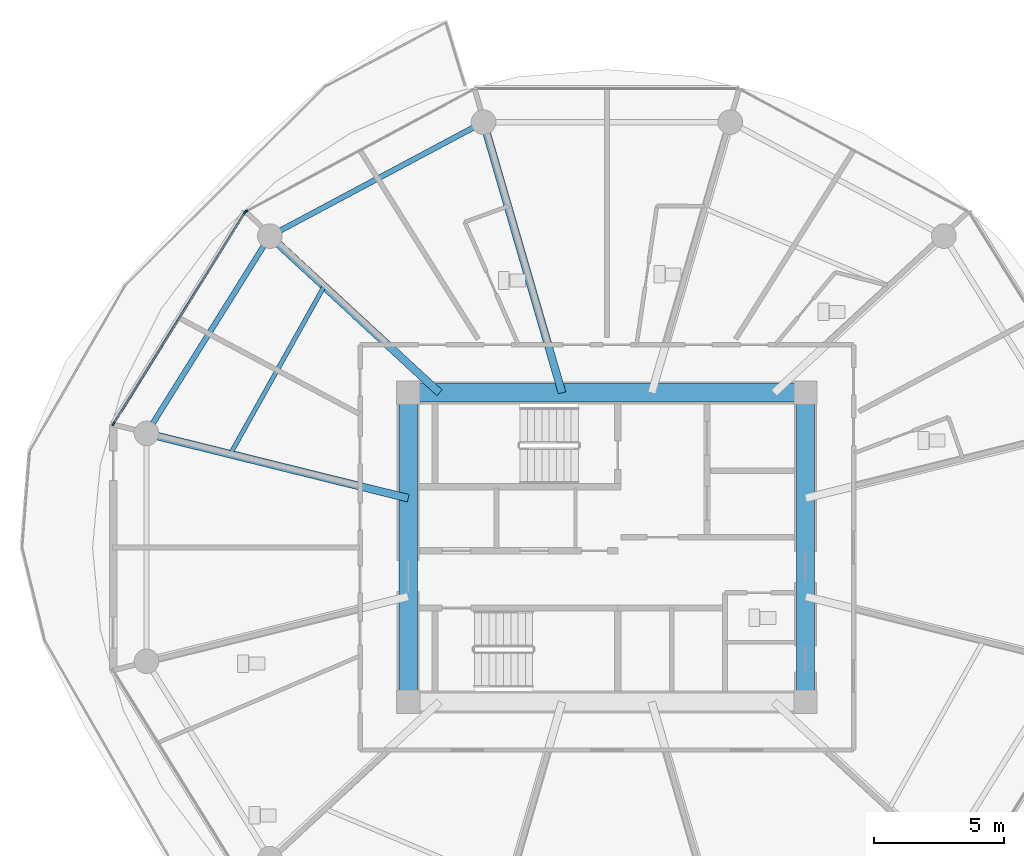
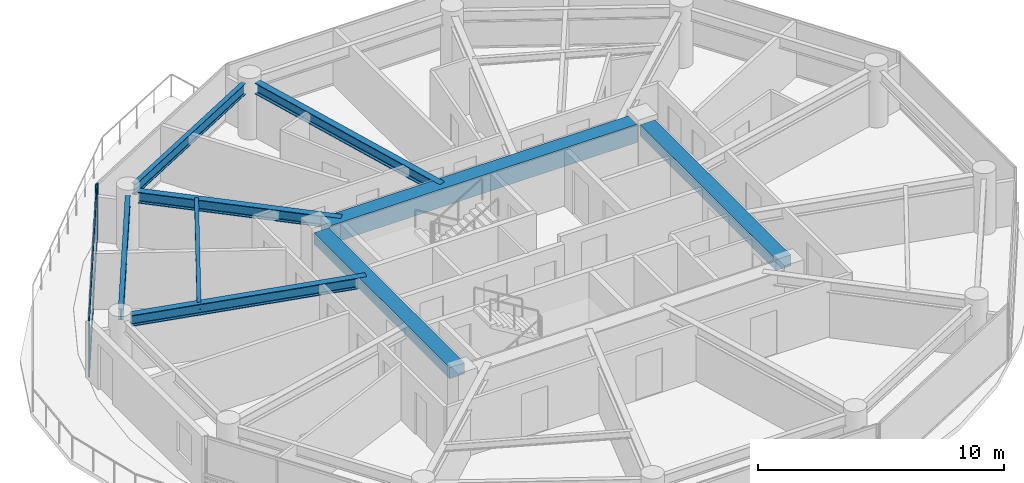
# One storey, part 4 of 27: 9 beams, 5 members, 2 elements without a shape of their own.
"""IFC4 building model written with IfcOpenShell, lengths in metres."""

from ifc_helpers import new_model, si_unit, direction, frame, origin, origin_2d, place, context, subcontext, project, spatial, rectangle, i_section, extrude, source, transform, mapped, material, layer, layer_set, material_profile, profile_set, type_object, type_shapes, element, aggregate, save


model = new_model("IFC4")

# Units and contexts
model_context = context("Model", 3, precision=1e-05, world=origin(), true_north=direction((0.0, 1.0)))
body_context = subcontext(model_context, "Body", "Model", "MODEL_VIEW")
ifc_project = project(units=[si_unit("LENGTHUNIT", "METRE"), si_unit("AREAUNIT", "SQUARE_METRE"), si_unit("VOLUMEUNIT", "CUBIC_METRE"), si_unit("PLANEANGLEUNIT", "RADIAN"), si_unit("MASSUNIT", "GRAM", prefix="KILO")], contexts=[model_context])

# Site, building, storey
site_placement = place(None, origin())
site = spatial("IfcSite", under=ifc_project, at=site_placement, CompositionType="ELEMENT")
building_placement = place(site_placement, origin())
building = spatial("IfcBuilding", under=site, at=building_placement, Name="Norrkilde Senior Care Towers", CompositionType="ELEMENT")
storey_placement = place(building_placement, frame((0.0, 0.0, 36.85009765625)))
storey = spatial("IfcBuildingStorey", under=building, at=storey_placement, Name="L10", CompositionType="ELEMENT", Elevation=36.85009765625)

# Beams
ifc_material_1 = material(Name="Concrete C60/75", Category="concrete")
ifc_material_profile_1 = material_profile(ifc_material_1, rectangle(XDim=0.699951171875, YDim=0.89990234375, at=origin_2d()), Name="RC BM 700x900")
ifc_profile_set_1 = profile_set([ifc_material_profile_1], Name="Concrete C60/75")
beam_type_1 = type_object("IfcBeamType", Name="Core Coupling Girder 700x900", PredefinedType="USERDEFINED", material=ifc_profile_set_1)
shared_shape_1 = source(origin(), body_context, "Body", "SweptSolid", [
    extrude(rectangle(XDim=0.699951171875, YDim=0.89990234375, at=origin_2d()), origin(), (0.0, 0.0, 1.0), 14.43994140625),
])
type_shapes(beam_type_1, [shared_shape_1])
beam_1_placement = place(storey_placement, frame((-35.219970703125, 5.949951171875, 2.33984375), z_axis=(1.0, 0.0, 0.0), x_axis=(0.0, 1.0, 0.0)))
element("IfcBeam", 1, at=beam_1_placement, inside=storey, type_object=beam_type_1, Name="L10 Core W N Coupling Girder", ObjectType="GIRDER", PredefinedType="USERDEFINED", context=body_context, shape_type="MappedRepresentation", body=[
    mapped(shared_shape_1, transform((0.0, 0.0, 0.0), x_axis=(1.0, 0.0, 0.0), y_axis=(0.0, 1.0, 0.0), z_axis=(0.0, 0.0, 1.0), scale=1.0)),
])
ifc_material_profile_2 = material_profile(ifc_material_1, rectangle(XDim=0.699951171875, YDim=0.550048828125, at=origin_2d()), Name="RC BM 700x550")
ifc_profile_set_2 = profile_set([ifc_material_profile_2], Name="Concrete C60/75")
beam_type_2 = type_object("IfcBeamType", Name="Core Portal Coupling Beam 700x550", PredefinedType="USERDEFINED", material=ifc_profile_set_2)
shared_shape_2 = source(origin(), body_context, "Body", "SweptSolid", [
    extrude(rectangle(XDim=0.699951171875, YDim=0.550048828125, at=origin_2d()), origin(), (0.0, 0.0, 1.0), 11.0400390625),
])
type_shapes(beam_type_2, [shared_shape_2])
for number, where, z_axis, x_axis, name in (
    (2, (-35.64990234375, -5.52001953125, 2.514892578125), (0.0, 1.0, 0.0), (-1.0, 0.0, 0.0), "L10 Core W W Coupling Girder"),
    (3, (-20.35009765625, -5.52001953125, 2.514892578125), (0.0, 1.0, 0.0), (-1.0, 0.0, 0.0), "L10 Core W E Coupling Girder"),
):
    element("IfcBeam", number, at=place(storey_placement, frame(where, z_axis=z_axis, x_axis=x_axis)), inside=storey, type_object=beam_type_2, Name=name, ObjectType="GIRDER", PredefinedType="USERDEFINED", context=body_context, shape_type="MappedRepresentation", body=[
        mapped(shared_shape_2, transform((0.0, 0.0, 0.0), x_axis=(1.0, 0.0, 0.0), y_axis=(0.0, 1.0, 0.0), z_axis=(0.0, 0.0, 1.0), scale=1.0)),
    ])
ifc_material_2 = material(Name="Steel S355", Category="steel")
ifc_material_profile_3 = material_profile(ifc_material_2, i_section(OverallWidth=0.2099609375, OverallDepth=0.550048828125, WebThickness=0.010986328125, FlangeThickness=0.01708984375, FilletRadius=0.02392578125, at=origin_2d()), Name="IPE 550")
ifc_profile_set_3 = profile_set([ifc_material_profile_3], Name="Steel S355")
beam_type_3 = type_object("IfcBeamType", Name="Perimeter Ring Spandrel Z1 IPE550", PredefinedType="SPANDREL", material=ifc_profile_set_3)
shared_shape_3 = source(origin(), body_context, "Body", "SweptSolid", [
    extrude(i_section(OverallWidth=0.2099609375, OverallDepth=0.550048828125, WebThickness=0.010986328125, FlangeThickness=0.01708984375, FilletRadius=0.02392578125, at=origin_2d()), origin(), (0.0, 0.0, 1.0), 8.090576171875),
])
beam_2_placement = place(storey_placement, frame((-41.2060546875, 11.61669921875, 2.514892578125), z_axis=(-0.530004364821, -0.84799491347, 0.0), x_axis=(0.84799491347, -0.530004364821, 0.0)))
element("IfcBeam", 4, at=beam_2_placement, inside=storey, type_object=beam_type_3, Name="L10 Drum W Perimeter Spandrel 05", PredefinedType="SPANDREL", context=body_context, shape_type="MappedRepresentation", body=[
    mapped(shared_shape_3, transform((0.0, 0.0, 0.0), x_axis=(1.0, 0.0, 0.0), y_axis=(0.0, 1.0, 0.0), z_axis=(0.0, 0.0, 1.0), scale=1.0)),
])
ifc_material_profile_4 = material_profile(ifc_material_2, i_section(OverallWidth=0.300048828125, OverallDepth=0.550048828125, WebThickness=0.014892578125, FlangeThickness=0.029052734375, FilletRadius=0.027099609375, at=origin_2d()), Name="HEB 550")
ifc_profile_set_4 = profile_set([ifc_material_profile_4], Name="Steel S355")
beam_type_4 = type_object("IfcBeamType", Name="Radial Floor Beam Z1 HEB550", PredefinedType="BEAM", material=ifc_profile_set_4)
shared_shape_4 = source(origin(), body_context, "Body", "SweptSolid", [
    extrude(i_section(OverallWidth=0.300048828125, OverallDepth=0.550048828125, WebThickness=0.014892578125, FlangeThickness=0.029052734375, FilletRadius=0.027099609375, at=origin_2d()), origin(), (0.0, 0.0, 1.0), 9.94384765625),
])
beam_3_placement = place(storey_placement, frame((-35.64990234375, 1.893310546875, 2.514892578125), z_axis=(-0.970707425182, 0.240264634718, 0.0), x_axis=(-0.240264634718, -0.970707425182, 0.0)))
element("IfcBeam", 5, at=beam_3_placement, inside=storey, type_object=beam_type_4, Name="L10 Drum W Radial Floor Beam 06", PredefinedType="BEAM", context=body_context, shape_type="MappedRepresentation", body=[
    mapped(shared_shape_4, transform((0.0, 0.0, 0.0), x_axis=(1.0, 0.0, 0.0), y_axis=(0.0, 1.0, 0.0), z_axis=(0.0, 0.0, 1.0), scale=1.0)),
])
shared_shape_5 = source(origin(), body_context, "Body", "SweptSolid", [
    extrude(i_section(OverallWidth=0.2099609375, OverallDepth=0.550048828125, WebThickness=0.010986328125, FlangeThickness=0.01708984375, FilletRadius=0.02392578125, at=origin_2d()), origin(), (0.0, 0.0, 1.0), 8.452880859375),
])
type_shapes(beam_type_3, [shared_shape_3, shared_shape_5])
beam_4_placement = place(storey_placement, frame((-33.133056640625, 16.167724609375, 2.514892578125), z_axis=(-0.882368931134, -0.470558252898, 0.0), x_axis=(0.470558252898, -0.882368931134, 0.0)))
element("IfcBeam", 6, at=beam_4_placement, inside=storey, type_object=beam_type_3, Name="L10 Drum W Perimeter Spandrel 04", PredefinedType="SPANDREL", context=body_context, shape_type="MappedRepresentation", body=[
    mapped(shared_shape_5, transform((0.0, 0.0, 0.0), x_axis=(1.0, 0.0, 0.0), y_axis=(0.0, 1.0, 0.0), z_axis=(0.0, 0.0, 1.0), scale=1.0)),
])
shared_shape_6 = source(origin(), body_context, "Body", "SweptSolid", [
    extrude(i_section(OverallWidth=0.300048828125, OverallDepth=0.550048828125, WebThickness=0.014892578125, FlangeThickness=0.029052734375, FilletRadius=0.027099609375, at=origin_2d()), origin(), (0.0, 0.0, 1.0), 8.459716796875),
])
beam_5_placement = place(storey_placement, frame((-34.44140625, 5.949951171875, 2.514892578125), z_axis=(-0.734573269108, 0.678529374686, 0.0), x_axis=(-0.678529374686, -0.734573269108, 0.0)))
element("IfcBeam", 7, at=beam_5_placement, inside=storey, type_object=beam_type_4, Name="L10 Drum W Radial Floor Beam 05", PredefinedType="BEAM", context=body_context, shape_type="MappedRepresentation", body=[
    mapped(shared_shape_6, transform((0.0, 0.0, 0.0), x_axis=(1.0, 0.0, 0.0), y_axis=(0.0, 1.0, 0.0), z_axis=(0.0, 0.0, 1.0), scale=1.0)),
])
shared_shape_7 = source(origin(), body_context, "Body", "SweptSolid", [
    extrude(i_section(OverallWidth=0.300048828125, OverallDepth=0.550048828125, WebThickness=0.014892578125, FlangeThickness=0.029052734375, FilletRadius=0.027099609375, at=origin_2d()), origin(), (0.0, 0.0, 1.0), 10.4169921875),
])
type_shapes(beam_type_4, [shared_shape_4, shared_shape_6, shared_shape_7])
beam_6_placement = place(storey_placement, frame((-29.72607421875, 5.949951171875, 2.514892578125), z_axis=(-0.278591250785, 0.960409764104, 0.0), x_axis=(-0.960409764104, -0.278591250785, 0.0)))
element("IfcBeam", 8, at=beam_6_placement, inside=storey, type_object=beam_type_4, Name="L10 Drum W Radial Floor Beam 04", PredefinedType="BEAM", context=body_context, shape_type="MappedRepresentation", body=[
    mapped(shared_shape_7, transform((0.0, 0.0, 0.0), x_axis=(1.0, 0.0, 0.0), y_axis=(0.0, 1.0, 0.0), z_axis=(0.0, 0.0, 1.0), scale=1.0)),
])
ifc_material_profile_5 = material_profile(ifc_material_2, i_section(OverallWidth=0.169921875, OverallDepth=0.360107421875, WebThickness=0.008056640625, FlangeThickness=0.0126953125, FilletRadius=0.01806640625, at=origin_2d()), Name="IPE 360")
ifc_profile_set_5 = profile_set([ifc_material_profile_5], Name="Steel S355")
beam_type_5 = type_object("IfcBeamType", Name="Secondary Floor Joist IPE360", PredefinedType="JOIST", material=ifc_profile_set_5)
shared_shape_8 = source(origin(), body_context, "Body", "SweptSolid", [
    extrude(i_section(OverallWidth=0.169921875, OverallDepth=0.360107421875, WebThickness=0.008056640625, FlangeThickness=0.0126953125, FilletRadius=0.01806640625, at=origin_2d()), origin(), (0.0, 0.0, 1.0), 7.40771484375),
])
type_shapes(beam_type_5, [shared_shape_8])
beam_7_placement = place(storey_placement, frame((-38.884521484375, 10.05419921875, 2.60986328125), z_axis=(-0.488167754092, -0.872749817453, 0.0), x_axis=(0.872749817453, -0.488167754092, 0.0)))
element("IfcBeam", 9, at=beam_7_placement, inside=storey, type_object=beam_type_5, Name="L10 Drum W Secondary Floor Joist 2", PredefinedType="JOIST", context=body_context, shape_type="MappedRepresentation", body=[
    mapped(shared_shape_8, transform((0.0, 0.0, 0.0), x_axis=(1.0, 0.0, 0.0), y_axis=(0.0, 1.0, 0.0), z_axis=(0.0, 0.0, 1.0), scale=1.0)),
])

# Curtain wall, member
ifc_material_3 = material(Name="Triple Low-E Insulated Glazing", Category="glass")
ifc_layer = layer(ifc_material_3, 0.199951171875)
ifc_layer_set = layer_set([ifc_layer], Name="Triple Low-E Insulated Glazing")
curtain_wall_type = type_object("IfcCurtainWallType", Name="CW2 Zone 1 Memory Care Curtain Wall", PredefinedType="NOTDEFINED", material=ifc_layer_set)
curtain_wall_1_placement = place(storey_placement, origin())
curtain_wall_1 = element("IfcCurtainWall", 10, at=curtain_wall_1_placement, inside=storey, type_object=curtain_wall_type, Name="L10 Drum W Curtain Wall 03", PredefinedType="NOTDEFINED")
ifc_material_4 = material(Name="Anodised Aluminium", Category="aluminium")
ifc_material_profile_6 = material_profile(ifc_material_4, rectangle(XDim=0.06494140625, YDim=0.159912109375, at=origin_2d()), Name="ALU MULL 65x160")
ifc_profile_set_6 = profile_set([ifc_material_profile_6], Name="Anodised Aluminium")
member_type_1 = type_object("IfcMemberType", Name="Curtain Wall Mullion Z1-Z2 65x160", PredefinedType="MULLION", material=ifc_profile_set_6)
shared_shape_9 = source(origin(), body_context, "Body", "SweptSolid", [
    extrude(rectangle(XDim=0.06494140625, YDim=0.159912109375, at=origin_2d()), origin(), (0.0, 0.0, 1.0), 2.789794921875),
])
type_shapes(member_type_1, [shared_shape_9])
member_1_placement = place(storey_placement, frame((-41.88720703125, 12.941162109375, 0.0), z_axis=(0.0, 0.0, 1.0), x_axis=(-0.472607802456, 0.881272866403, 0.0)))
member_1 = element("IfcMember", 11, at=member_1_placement, type_object=member_type_1, Name="CW-2 mullion 1", PredefinedType="MULLION", context=body_context, shape_type="MappedRepresentation", body=[
    mapped(shared_shape_9, transform((0.0, 0.0, 0.0), x_axis=(1.0, 0.0, 0.0), y_axis=(0.0, 1.0, 0.0), z_axis=(0.0, 0.0, 1.0), scale=1.0)),
])
aggregate(curtain_wall_1, [member_1])

# Curtain wall, members
curtain_wall_2_placement = place(storey_placement, origin())
curtain_wall_2 = element("IfcCurtainWall", 12, at=curtain_wall_2_placement, inside=storey, type_object=curtain_wall_type, Name="L10 Drum W Curtain Wall 04", PredefinedType="NOTDEFINED")
member_2_placement = place(storey_placement, frame((-46.9921875, 4.7587890625, 0.0), z_axis=(0.0, 0.0, 1.0), x_axis=(-0.849305943117, 0.527900951871, 0.0)))
member_2 = element("IfcMember", 13, at=member_2_placement, type_object=member_type_1, Name="CW-2 mullion 1", PredefinedType="MULLION", context=body_context, shape_type="MappedRepresentation", body=[
    mapped(shared_shape_9, transform((0.0, 0.0, 0.0), x_axis=(1.0, 0.0, 0.0), y_axis=(0.0, 1.0, 0.0), z_axis=(0.0, 0.0, 1.0), scale=1.0)),
])
member_3_placement = place(storey_placement, frame((-41.93310546875, 12.898193359375, 0.0), z_axis=(0.0, 0.0, 1.0), x_axis=(-0.849305943117, 0.527900951871, 0.0)))
member_3 = element("IfcMember", 14, at=member_3_placement, type_object=member_type_1, Name="CW-2 mullion 2", PredefinedType="MULLION", context=body_context, shape_type="MappedRepresentation", body=[
    mapped(shared_shape_9, transform((0.0, 0.0, 0.0), x_axis=(1.0, 0.0, 0.0), y_axis=(0.0, 1.0, 0.0), z_axis=(0.0, 0.0, 1.0), scale=1.0)),
])
ifc_material_profile_7 = material_profile(ifc_material_4, rectangle(XDim=0.06005859375, YDim=0.1201171875, at=origin_2d()), Name="ALU TRAN 60x120")
ifc_profile_set_7 = profile_set([ifc_material_profile_7], Name="Anodised Aluminium")
member_type_2 = type_object("IfcMemberType", Name="Curtain Wall Transom Typical 60x120", PredefinedType="USERDEFINED", material=ifc_profile_set_7)
shared_shape_10 = source(origin(), body_context, "Body", "SweptSolid", [
    extrude(rectangle(XDim=0.06005859375, YDim=0.1201171875, at=origin_2d()), origin(), (0.0, 0.0, 1.0), 9.5185546875),
])
type_shapes(member_type_2, [shared_shape_10])
member_4_placement = place(storey_placement, frame((-46.97509765625, 4.786376953125, 0.02978515625), z_axis=(0.527901620669, 0.849305527413, 0.0), x_axis=(-0.849305527413, 0.527901620669, 0.0)))
member_4 = element("IfcMember", 15, at=member_4_placement, type_object=member_type_2, Name="CW-2 transom 1.1", ObjectType="TRANSOM", PredefinedType="USERDEFINED", context=body_context, shape_type="MappedRepresentation", body=[
    mapped(shared_shape_10, transform((0.0, 0.0, 0.0), x_axis=(1.0, 0.0, 0.0), y_axis=(0.0, 1.0, 0.0), z_axis=(0.0, 0.0, 1.0), scale=1.0)),
])
member_5_placement = place(storey_placement, frame((-46.97509765625, 4.786376953125, 2.760009765625), z_axis=(0.527901620669, 0.849305527413, 0.0), x_axis=(-0.849305527413, 0.527901620669, 0.0)))
member_5 = element("IfcMember", 16, at=member_5_placement, type_object=member_type_2, Name="CW-2 transom 1.2", ObjectType="TRANSOM", PredefinedType="USERDEFINED", context=body_context, shape_type="MappedRepresentation", body=[
    mapped(shared_shape_10, transform((0.0, 0.0, 0.0), x_axis=(1.0, 0.0, 0.0), y_axis=(0.0, 1.0, 0.0), z_axis=(0.0, 0.0, 1.0), scale=1.0)),
])
aggregate(curtain_wall_2, [member_2, member_3, member_4, member_5])

save(model, "model.ifc")
